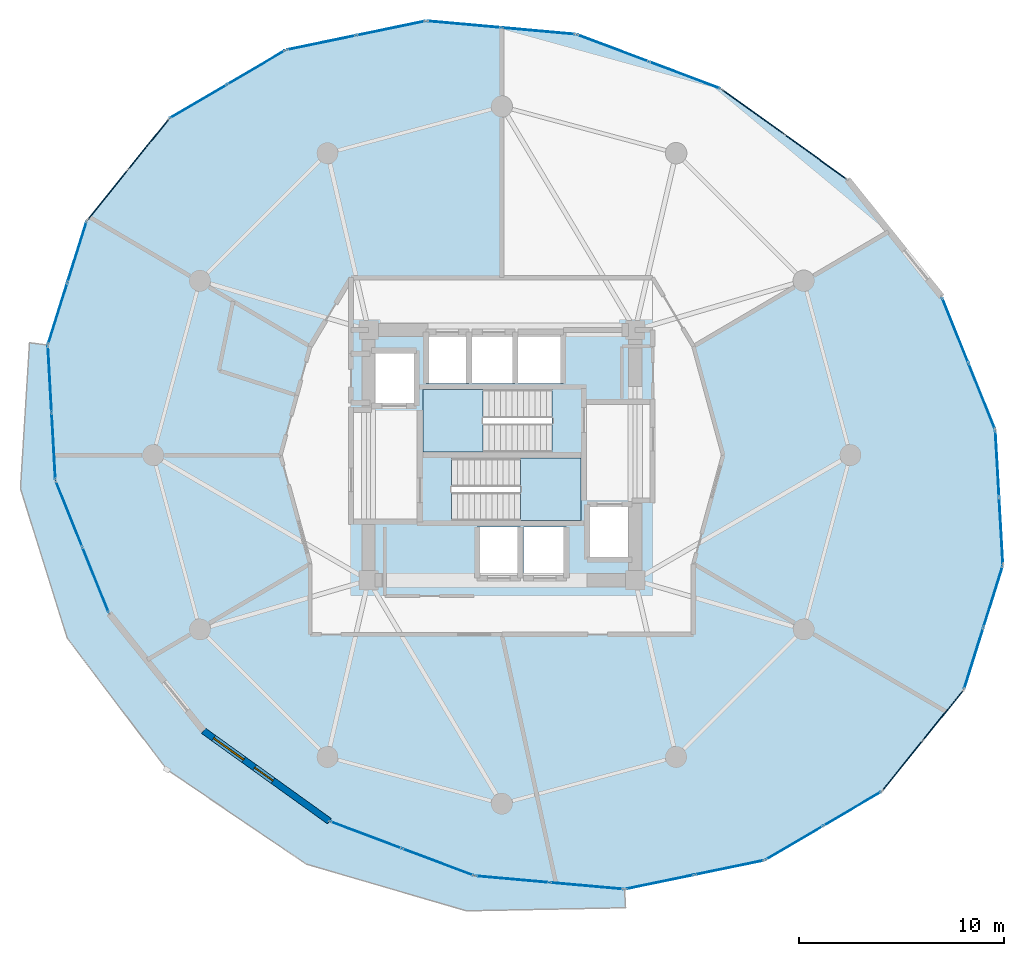
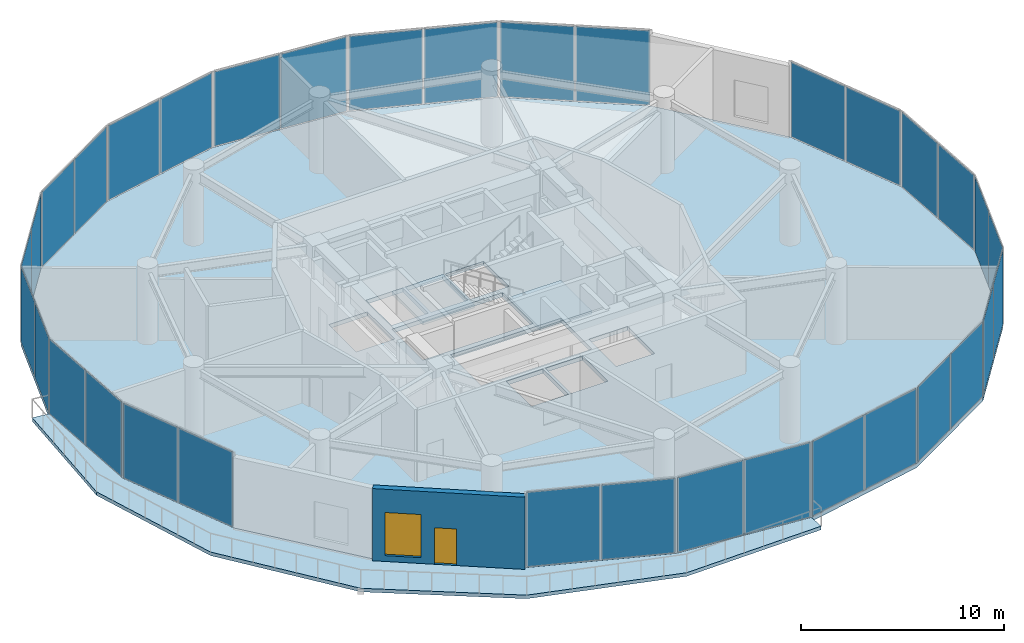
# One storey, part 23 of 28: 34 plates, 4 slabs, 1 door, 1 wall, 1 window, 2 openings, 19 elements without a shape of their own.
"""IFC4 building model written with IfcOpenShell, lengths in metres."""

from ifc_helpers import new_model, si_unit, direction, frame, frame_2d, origin, origin_2d, place, context, subcontext, project, spatial, polyline, rectangle, outline, extrude, source, transform, mapped, material, layer, layer_set, type_object, element, fill, aggregate, save


model = new_model("IFC4")

# Units and contexts
model_context = context("Model", 3, precision=1e-05, world=origin(), true_north=direction((0.0, 1.0)))
body_context = subcontext(model_context, "Body", "Model", "MODEL_VIEW")
ifc_project = project(units=[si_unit("LENGTHUNIT", "METRE"), si_unit("AREAUNIT", "SQUARE_METRE"), si_unit("VOLUMEUNIT", "CUBIC_METRE"), si_unit("PLANEANGLEUNIT", "RADIAN"), si_unit("MASSUNIT", "GRAM", prefix="KILO")], contexts=[model_context])

# Site, building, storey
site_placement = place(None, origin())
site = spatial("IfcSite", under=ifc_project, at=site_placement, CompositionType="ELEMENT")
building_placement = place(site_placement, origin())
building = spatial("IfcBuilding", under=site, at=building_placement, Name="Solvirekh Grand Hotel", CompositionType="ELEMENT")
storey_placement = place(building_placement, frame((0.0, 0.0, 98.0)))
storey = spatial("IfcBuildingStorey", under=building, at=storey_placement, Name="L24", CompositionType="ELEMENT", Elevation=98.0)

# Slab
ifc_material_1 = material(Name="Concrete C50/60", Category="concrete")
ifc_layer_1 = layer(ifc_material_1, 0.215087890625)
ifc_layer_set_1 = layer_set([ifc_layer_1], Name="Concrete C50/60")
slab_type_1 = type_object("IfcSlabType", Name="ExtCrescentBalc_215", PredefinedType="FLOOR", material=ifc_layer_set_1)
slab_1_placement = place(storey_placement, frame((0.0, 0.0, -0.215087890625)))
element("IfcSlab", 1, at=slab_1_placement, inside=storey, type_object=slab_type_1, Name="L24 sweeping crescent balcony slab", PredefinedType="FLOOR", context=body_context, shape_type="SweptSolid", body=[
    extrude(outline(polyline([(-23.030029296875, 5.47607421875), (-23.469970703125, -1.625), (-21.18994140625, -8.924072265625), (-16.330078125, -15.333984375), (-9.52587890625, -19.945068359375), (-1.72509765625, -22.220947265625), (6.033935546875, -22.069091796875), (5.985107421875, -21.169921875), (-1.33203125, -20.51611328125), (-8.406982421875, -17.85302734375), (-14.5458984375, -13.443115234375), (-19.14794921875, -7.717041015625), (-21.763916015625, -1.235107421875), (-22.135986328125, 5.366943359375), (-23.030029296875, 5.47607421875)])), origin(), (0.0, 0.0, 1.0), 0.215087890625),
])

# Stair, slab
ifc_material_2 = material(Name="Concrete C40/50", Category="concrete")
stair_type = type_object("IfcStairType", Name="Stair_Core_1450", PredefinedType="HALF_TURN_STAIR", material=ifc_material_2)
stair_1_placement = place(storey_placement, origin())
stair_1 = element("IfcStair", 2, at=stair_1_placement, inside=storey, type_object=stair_type, Name="L24 Enclosed exit stair ST-1", PredefinedType="HALF_TURN_STAIR")
ifc_layer_2 = layer(ifc_material_2, 0.199951171875)
ifc_layer_set_2 = layer_set([ifc_layer_2], Name="Concrete C40/50")
slab_type_2 = type_object("IfcSlabType", Name="Landing_Stair_200", PredefinedType="LANDING", material=ifc_layer_set_2)
slab_2_placement = place(storey_placement, frame((0.0, 0.0, 2.10009765625)))
slab_2 = element("IfcSlab", 3, at=slab_2_placement, type_object=slab_type_2, Name="ST-1 landing 1", PredefinedType="LANDING", context=body_context, shape_type="SweptSolid", body=[
    extrude(outline(polyline([(0.909912109375, -3.199951171875), (3.85009765625, -3.199951171875), (3.85009765625, -0.14990234375), (0.909912109375, -0.14990234375), (0.909912109375, -3.199951171875)])), origin(), (0.0, 0.0, 1.0), 0.199951171875),
])
aggregate(stair_1, [slab_2])

stair_2_placement = place(storey_placement, origin())
stair_2 = element("IfcStair", 4, at=stair_2_placement, inside=storey, type_object=stair_type, Name="L24 Enclosed exit stair ST-2", PredefinedType="HALF_TURN_STAIR")
slab_3_placement = place(storey_placement, frame((0.0, 0.0, 2.10009765625)))
slab_3 = element("IfcSlab", 5, at=slab_3_placement, type_object=slab_type_2, Name="ST-2 landing 1", PredefinedType="LANDING", context=body_context, shape_type="SweptSolid", body=[
    extrude(outline(polyline([(-0.909912109375, 3.199951171875), (-3.85009765625, 3.199951171875), (-3.85009765625, 0.14990234375), (-0.909912109375, 0.14990234375), (-0.909912109375, 3.199951171875)])), origin(), (0.0, 0.0, 1.0), 0.199951171875),
])
aggregate(stair_2, [slab_3])

# Slab
ifc_layer_3 = layer(ifc_material_1, 0.25)
ifc_layer_set_3 = layer_set([ifc_layer_3], Name="Concrete C50/60")
slab_type_3 = type_object("IfcSlabType", Name="Slab_GuestZ2_250", PredefinedType="FLOOR", material=ifc_layer_set_3)
slab_4_placement = place(storey_placement, frame((0.0, 0.0, -0.25)))
element("IfcSlab", 6, at=slab_4_placement, inside=storey, type_object=slab_type_3, Name="L24 structural floor slab", PredefinedType="FLOOR", context=body_context, shape_type="SweptSolid", body=[
    extrude(outline(polyline([(22.530029296875, -11.444091796875), (24.43603515625, -5.366943359375), (24.06396484375, 1.235107421875), (21.447998046875, 7.717041015625), (16.845947265625, 13.443115234375), (10.70703125, 17.85302734375), (3.632080078125, 20.51611328125), (-3.68505859375, 21.169921875), (-10.529052734375, 19.7529296875), (-16.22998046875, 16.40087890625), (-20.22998046875, 11.444091796875), (-22.135986328125, 5.366943359375), (-21.763916015625, -1.235107421875), (-19.14794921875, -7.717041015625), (-14.5458984375, -13.443115234375), (-8.406982421875, -17.85302734375), (-1.33203125, -20.51611328125), (5.985107421875, -21.169921875), (12.8291015625, -19.7529296875), (18.530029296875, -16.40087890625), (22.530029296875, -11.444091796875)]), holes=[polyline([(-2.444091796875, -0.14990234375), (3.85009765625, -0.14990234375), (3.85009765625, -3.199951171875), (-2.444091796875, -3.199951171875), (-2.444091796875, -0.14990234375)]), polyline([(2.444091796875, 0.14990234375), (-3.85009765625, 0.14990234375), (-3.85009765625, 3.199951171875), (2.444091796875, 3.199951171875), (2.444091796875, 0.14990234375)]), polyline([(-1.199951171875, -3.5), (0.89990234375, -3.5), (0.89990234375, -6.0), (-1.199951171875, -6.0), (-1.199951171875, -3.5)]), polyline([(1.050048828125, -3.5), (3.14990234375, -3.5), (3.14990234375, -6.0), (1.050048828125, -6.0), (1.050048828125, -3.5)]), polyline([(-3.699951171875, 6.0), (-1.60009765625, 6.0), (-1.60009765625, 3.5), (-3.699951171875, 3.5), (-3.699951171875, 6.0)]), polyline([(-1.449951171875, 6.0), (0.64990234375, 6.0), (0.64990234375, 3.5), (-1.449951171875, 3.5), (-1.449951171875, 6.0)]), polyline([(0.800048828125, 6.0), (3.0, 6.0), (3.0, 3.5), (0.800048828125, 3.5), (0.800048828125, 6.0)]), polyline([(-6.35009765625, 5.10009765625), (-4.14990234375, 5.10009765625), (-4.14990234375, 2.39990234375), (-6.35009765625, 2.39990234375), (-6.35009765625, 5.10009765625)]), polyline([(4.14990234375, -2.39990234375), (6.35009765625, -2.39990234375), (6.35009765625, -5.10009765625), (4.14990234375, -5.10009765625), (4.14990234375, -2.39990234375)])]), origin(), (0.0, 0.0, 1.0), 0.25),
])

# Curtain wall, plates
ifc_material_3 = material(Name="Anodized Bronze Aluminium 6063-T6", Category="aluminium")
ifc_layer_4 = layer(ifc_material_3, 0.18994140625)
ifc_layer_set_4 = layer_set([ifc_layer_4], Name="Anodized Bronze Aluminium 6063-T6")
curtain_wall_type = type_object("IfcCurtainWallType", Name="CW_Sys5_SkyLobbyPanoramaCW", PredefinedType="NOTDEFINED", material=ifc_layer_set_4)
curtain_wall_1_placement = place(storey_placement, origin())
curtain_wall_1 = element("IfcCurtainWall", 7, at=curtain_wall_1_placement, inside=storey, type_object=curtain_wall_type, Name="L24 unitised bronze-glass curtain wall CW-L24-C01", PredefinedType="NOTDEFINED")
ifc_material_4 = material(Name="Low-E Tinted Bronze Laminated Glass", Category="aluminium")
ifc_layer_5 = layer(ifc_material_4, 0.0419921875)
ifc_layer_set_5 = layer_set([ifc_layer_5], Name="Low-E Tinted Bronze Laminated Glass")
plate_type = type_object("IfcPlateType", Name="CWPanel_SkyLobby_42", PredefinedType="CURTAIN_PANEL", material=ifc_layer_set_5)
shared_shape_1 = source(origin(), body_context, "Body", "SweptSolid", [
    extrude(rectangle(XDim=3.079345703125, YDim=0.0419921875, at=origin_2d()), origin(), (0.0, 0.0, 1.0), 4.47998046875),
])
plate_1_placement = place(storey_placement, frame((23.01171875, -9.907958984375, 0.06005859375), z_axis=(0.0, 0.0, 1.0), x_axis=(0.299267200193, 0.95416934707, 0.0)))
plate_1 = element("IfcPlate", 8, at=plate_1_placement, type_object=plate_type, Name="U05 panel 1.1", PredefinedType="CURTAIN_PANEL", context=body_context, shape_type="MappedRepresentation", body=[
    mapped(shared_shape_1, transform((0.0, 0.0, 0.0), x_axis=(1.0, 0.0, 0.0), y_axis=(0.0, 1.0, 0.0), z_axis=(0.0, 0.0, 1.0), scale=1.0)),
])
plate_2_placement = place(storey_placement, frame((23.954345703125, -6.90283203125, 0.06005859375), z_axis=(0.0, 0.0, 1.0), x_axis=(0.299267200193, 0.95416934707, 0.0)))
plate_2 = element("IfcPlate", 9, at=plate_2_placement, type_object=plate_type, Name="U05 panel 2.1", PredefinedType="CURTAIN_PANEL", context=body_context, shape_type="MappedRepresentation", body=[
    mapped(shared_shape_1, transform((0.0, 0.0, 0.0), x_axis=(1.0, 0.0, 0.0), y_axis=(0.0, 1.0, 0.0), z_axis=(0.0, 0.0, 1.0), scale=1.0)),
])
aggregate(curtain_wall_1, [plate_1, plate_2])

curtain_wall_2_placement = place(storey_placement, origin())
curtain_wall_2 = element("IfcCurtainWall", 10, at=curtain_wall_2_placement, inside=storey, type_object=curtain_wall_type, Name="L24 unitised bronze-glass curtain wall CW-L24-C11", PredefinedType="NOTDEFINED")
plate_3_placement = place(storey_placement, frame((-20.711669921875, 9.907958984375, 0.06005859375), z_axis=(0.0, 0.0, 1.0), x_axis=(-0.299267200193, -0.95416934707, 0.0)))
plate_3 = element("IfcPlate", 11, at=plate_3_placement, type_object=plate_type, Name="U05 panel 1.1", PredefinedType="CURTAIN_PANEL", context=body_context, shape_type="MappedRepresentation", body=[
    mapped(shared_shape_1, transform((0.0, 0.0, 0.0), x_axis=(1.0, 0.0, 0.0), y_axis=(0.0, 1.0, 0.0), z_axis=(0.0, 0.0, 1.0), scale=1.0)),
])
plate_4_placement = place(storey_placement, frame((-21.654296875, 6.90283203125, 0.06005859375), z_axis=(0.0, 0.0, 1.0), x_axis=(-0.299267200193, -0.95416934707, 0.0)))
plate_4 = element("IfcPlate", 12, at=plate_4_placement, type_object=plate_type, Name="U05 panel 2.1", PredefinedType="CURTAIN_PANEL", context=body_context, shape_type="MappedRepresentation", body=[
    mapped(shared_shape_1, transform((0.0, 0.0, 0.0), x_axis=(1.0, 0.0, 0.0), y_axis=(0.0, 1.0, 0.0), z_axis=(0.0, 0.0, 1.0), scale=1.0)),
])
aggregate(curtain_wall_2, [plate_3, plate_4])

curtain_wall_3_placement = place(storey_placement, origin())
curtain_wall_3 = element("IfcCurtainWall", 13, at=curtain_wall_3_placement, inside=storey, type_object=curtain_wall_type, Name="L24 unitised bronze-glass curtain wall CW-L24-C02", PredefinedType="NOTDEFINED")
shared_shape_2 = source(origin(), body_context, "Body", "SweptSolid", [
    extrude(rectangle(XDim=3.201171875, YDim=0.0419921875, at=origin_2d()), origin(), (0.0, 0.0, 1.0), 4.47998046875),
])
plate_5_placement = place(storey_placement, frame((24.342041015625, -3.698974609375, 0.06005859375), z_axis=(0.0, 0.0, 1.0), x_axis=(-0.056257325751, 0.998416302601, 0.0)))
plate_5 = element("IfcPlate", 14, at=plate_5_placement, type_object=plate_type, Name="U05 panel 1.1", PredefinedType="CURTAIN_PANEL", context=body_context, shape_type="MappedRepresentation", body=[
    mapped(shared_shape_2, transform((0.0, 0.0, 0.0), x_axis=(1.0, 0.0, 0.0), y_axis=(0.0, 1.0, 0.0), z_axis=(0.0, 0.0, 1.0), scale=1.0)),
])
plate_6_placement = place(storey_placement, frame((24.157958984375, -0.432861328125, 0.06005859375), z_axis=(0.0, 0.0, 1.0), x_axis=(-0.056257325751, 0.998416302601, 0.0)))
plate_6 = element("IfcPlate", 15, at=plate_6_placement, type_object=plate_type, Name="U05 panel 2.1", PredefinedType="CURTAIN_PANEL", context=body_context, shape_type="MappedRepresentation", body=[
    mapped(shared_shape_2, transform((0.0, 0.0, 0.0), x_axis=(1.0, 0.0, 0.0), y_axis=(0.0, 1.0, 0.0), z_axis=(0.0, 0.0, 1.0), scale=1.0)),
])
aggregate(curtain_wall_3, [plate_5, plate_6])

curtain_wall_4_placement = place(storey_placement, origin())
curtain_wall_4 = element("IfcCurtainWall", 16, at=curtain_wall_4_placement, inside=storey, type_object=curtain_wall_type, Name="L24 unitised bronze-glass curtain wall CW-L24-C12", PredefinedType="NOTDEFINED")
plate_7_placement = place(storey_placement, frame((-22.0419921875, 3.698974609375, 0.06005859375), z_axis=(0.0, 0.0, 1.0), x_axis=(0.056257325751, -0.998416302601, 0.0)))
plate_7 = element("IfcPlate", 17, at=plate_7_placement, type_object=plate_type, Name="U05 panel 1.1", PredefinedType="CURTAIN_PANEL", context=body_context, shape_type="MappedRepresentation", body=[
    mapped(shared_shape_2, transform((0.0, 0.0, 0.0), x_axis=(1.0, 0.0, 0.0), y_axis=(0.0, 1.0, 0.0), z_axis=(0.0, 0.0, 1.0), scale=1.0)),
])
plate_8_placement = place(storey_placement, frame((-21.85791015625, 0.432861328125, 0.06005859375), z_axis=(0.0, 0.0, 1.0), x_axis=(0.056257325751, -0.998416302601, 0.0)))
plate_8 = element("IfcPlate", 18, at=plate_8_placement, type_object=plate_type, Name="U05 panel 2.1", PredefinedType="CURTAIN_PANEL", context=body_context, shape_type="MappedRepresentation", body=[
    mapped(shared_shape_2, transform((0.0, 0.0, 0.0), x_axis=(1.0, 0.0, 0.0), y_axis=(0.0, 1.0, 0.0), z_axis=(0.0, 0.0, 1.0), scale=1.0)),
])
aggregate(curtain_wall_4, [plate_7, plate_8])

curtain_wall_5_placement = place(storey_placement, origin())
curtain_wall_5 = element("IfcCurtainWall", 19, at=curtain_wall_5_placement, inside=storey, type_object=curtain_wall_type, Name="L24 unitised bronze-glass curtain wall CW-L24-C03", PredefinedType="NOTDEFINED")
shared_shape_3 = source(origin(), body_context, "Body", "SweptSolid", [
    extrude(rectangle(XDim=3.389892578125, YDim=0.0419921875, at=origin_2d()), origin(), (0.0, 0.0, 1.0), 4.47998046875),
])
plate_9_placement = place(storey_placement, frame((23.403564453125, 2.871826171875, 0.06005859375), z_axis=(0.0, 0.0, 1.0), x_axis=(-0.374250152579, 0.927327786327, 0.0)))
plate_9 = element("IfcPlate", 20, at=plate_9_placement, type_object=plate_type, Name="U05 panel 1.1", PredefinedType="CURTAIN_PANEL", context=body_context, shape_type="MappedRepresentation", body=[
    mapped(shared_shape_3, transform((0.0, 0.0, 0.0), x_axis=(1.0, 0.0, 0.0), y_axis=(0.0, 1.0, 0.0), z_axis=(0.0, 0.0, 1.0), scale=1.0)),
])
plate_10_placement = place(storey_placement, frame((22.108642578125, 6.080322265625, 0.06005859375), z_axis=(0.0, 0.0, 1.0), x_axis=(-0.374250152579, 0.927327786327, 0.0)))
plate_10 = element("IfcPlate", 21, at=plate_10_placement, type_object=plate_type, Name="U05 panel 2.1", PredefinedType="CURTAIN_PANEL", context=body_context, shape_type="MappedRepresentation", body=[
    mapped(shared_shape_3, transform((0.0, 0.0, 0.0), x_axis=(1.0, 0.0, 0.0), y_axis=(0.0, 1.0, 0.0), z_axis=(0.0, 0.0, 1.0), scale=1.0)),
])
aggregate(curtain_wall_5, [plate_9, plate_10])

curtain_wall_6_placement = place(storey_placement, origin())
curtain_wall_6 = element("IfcCurtainWall", 22, at=curtain_wall_6_placement, inside=storey, type_object=curtain_wall_type, Name="L24 unitised bronze-glass curtain wall CW-L24-C13", PredefinedType="NOTDEFINED")
plate_11_placement = place(storey_placement, frame((-21.103515625, -2.871826171875, 0.06005859375), z_axis=(0.0, 0.0, 1.0), x_axis=(0.374250152579, -0.927327786327, 0.0)))
plate_11 = element("IfcPlate", 23, at=plate_11_placement, type_object=plate_type, Name="U05 panel 1.1", PredefinedType="CURTAIN_PANEL", context=body_context, shape_type="MappedRepresentation", body=[
    mapped(shared_shape_3, transform((0.0, 0.0, 0.0), x_axis=(1.0, 0.0, 0.0), y_axis=(0.0, 1.0, 0.0), z_axis=(0.0, 0.0, 1.0), scale=1.0)),
])
plate_12_placement = place(storey_placement, frame((-19.80859375, -6.080322265625, 0.06005859375), z_axis=(0.0, 0.0, 1.0), x_axis=(0.374250152579, -0.927327786327, 0.0)))
plate_12 = element("IfcPlate", 24, at=plate_12_placement, type_object=plate_type, Name="U05 panel 2.1", PredefinedType="CURTAIN_PANEL", context=body_context, shape_type="MappedRepresentation", body=[
    mapped(shared_shape_3, transform((0.0, 0.0, 0.0), x_axis=(1.0, 0.0, 0.0), y_axis=(0.0, 1.0, 0.0), z_axis=(0.0, 0.0, 1.0), scale=1.0)),
])
aggregate(curtain_wall_6, [plate_11, plate_12])

curtain_wall_7_placement = place(storey_placement, origin())
curtain_wall_7 = element("IfcCurtainWall", 25, at=curtain_wall_7_placement, inside=storey, type_object=curtain_wall_type, Name="L24 unitised bronze-glass curtain wall CW-L24-C05", PredefinedType="NOTDEFINED")
shared_shape_4 = source(origin(), body_context, "Body", "SweptSolid", [
    extrude(rectangle(XDim=3.67431640625, YDim=0.0419921875, at=origin_2d()), origin(), (0.0, 0.0, 1.0), 4.47998046875),
])
plate_13_placement = place(storey_placement, frame((15.297119140625, 14.5556640625, 0.06005859375), z_axis=(0.0, 0.0, 1.0), x_axis=(-0.812166211264, 0.58342612667, 0.0)))
plate_13 = element("IfcPlate", 26, at=plate_13_placement, type_object=plate_type, Name="U05 panel 1.1", PredefinedType="CURTAIN_PANEL", context=body_context, shape_type="MappedRepresentation", body=[
    mapped(shared_shape_4, transform((0.0, 0.0, 0.0), x_axis=(1.0, 0.0, 0.0), y_axis=(0.0, 1.0, 0.0), z_axis=(0.0, 0.0, 1.0), scale=1.0)),
])
plate_14_placement = place(storey_placement, frame((12.255859375, 16.740234375, 0.06005859375), z_axis=(0.0, 0.0, 1.0), x_axis=(-0.812166211264, 0.58342612667, 0.0)))
plate_14 = element("IfcPlate", 27, at=plate_14_placement, type_object=plate_type, Name="U05 panel 2.1", PredefinedType="CURTAIN_PANEL", context=body_context, shape_type="MappedRepresentation", body=[
    mapped(shared_shape_4, transform((0.0, 0.0, 0.0), x_axis=(1.0, 0.0, 0.0), y_axis=(0.0, 1.0, 0.0), z_axis=(0.0, 0.0, 1.0), scale=1.0)),
])
aggregate(curtain_wall_7, [plate_13, plate_14])

curtain_wall_8_placement = place(storey_placement, origin())
curtain_wall_8 = element("IfcCurtainWall", 28, at=curtain_wall_8_placement, inside=storey, type_object=curtain_wall_type, Name="L24 unitised bronze-glass curtain wall CW-L24-C06", PredefinedType="NOTDEFINED")
shared_shape_5 = source(origin(), body_context, "Body", "SweptSolid", [
    extrude(rectangle(XDim=3.6748046875, YDim=0.0419921875, at=origin_2d()), origin(), (0.0, 0.0, 1.0), 4.47998046875),
])
plate_15_placement = place(storey_placement, frame((8.921875, 18.52490234375, 0.06005859375), z_axis=(0.0, 0.0, 1.0), x_axis=(-0.935899011934, 0.352268419619, 0.0)))
plate_15 = element("IfcPlate", 29, at=plate_15_placement, type_object=plate_type, Name="U05 panel 1.1", PredefinedType="CURTAIN_PANEL", context=body_context, shape_type="MappedRepresentation", body=[
    mapped(shared_shape_5, transform((0.0, 0.0, 0.0), x_axis=(1.0, 0.0, 0.0), y_axis=(0.0, 1.0, 0.0), z_axis=(0.0, 0.0, 1.0), scale=1.0)),
])
plate_16_placement = place(storey_placement, frame((5.417236328125, 19.843994140625, 0.06005859375), z_axis=(0.0, 0.0, 1.0), x_axis=(-0.935899011934, 0.352268419619, 0.0)))
plate_16 = element("IfcPlate", 30, at=plate_16_placement, type_object=plate_type, Name="U05 panel 2.1", PredefinedType="CURTAIN_PANEL", context=body_context, shape_type="MappedRepresentation", body=[
    mapped(shared_shape_5, transform((0.0, 0.0, 0.0), x_axis=(1.0, 0.0, 0.0), y_axis=(0.0, 1.0, 0.0), z_axis=(0.0, 0.0, 1.0), scale=1.0)),
])
aggregate(curtain_wall_8, [plate_15, plate_16])

curtain_wall_9_placement = place(storey_placement, origin())
curtain_wall_9 = element("IfcCurtainWall", 31, at=curtain_wall_9_placement, inside=storey, type_object=curtain_wall_type, Name="L24 unitised bronze-glass curtain wall CW-L24-C16", PredefinedType="NOTDEFINED")
plate_17_placement = place(storey_placement, frame((-6.621826171875, -18.52490234375, 0.06005859375), z_axis=(0.0, 0.0, 1.0), x_axis=(0.935899011934, -0.352268419619, 0.0)))
plate_17 = element("IfcPlate", 32, at=plate_17_placement, type_object=plate_type, Name="U05 panel 1.1", PredefinedType="CURTAIN_PANEL", context=body_context, shape_type="MappedRepresentation", body=[
    mapped(shared_shape_5, transform((0.0, 0.0, 0.0), x_axis=(1.0, 0.0, 0.0), y_axis=(0.0, 1.0, 0.0), z_axis=(0.0, 0.0, 1.0), scale=1.0)),
])
plate_18_placement = place(storey_placement, frame((-3.1171875, -19.843994140625, 0.06005859375), z_axis=(0.0, 0.0, 1.0), x_axis=(0.935899011934, -0.352268419619, 0.0)))
plate_18 = element("IfcPlate", 33, at=plate_18_placement, type_object=plate_type, Name="U05 panel 2.1", PredefinedType="CURTAIN_PANEL", context=body_context, shape_type="MappedRepresentation", body=[
    mapped(shared_shape_5, transform((0.0, 0.0, 0.0), x_axis=(1.0, 0.0, 0.0), y_axis=(0.0, 1.0, 0.0), z_axis=(0.0, 0.0, 1.0), scale=1.0)),
])
aggregate(curtain_wall_9, [plate_17, plate_18])

curtain_wall_10_placement = place(storey_placement, origin())
curtain_wall_10 = element("IfcCurtainWall", 34, at=curtain_wall_10_placement, inside=storey, type_object=curtain_wall_type, Name="L24 unitised bronze-glass curtain wall CW-L24-C07", PredefinedType="NOTDEFINED")
shared_shape_6 = source(origin(), body_context, "Body", "SweptSolid", [
    extrude(rectangle(XDim=3.568115234375, YDim=0.0419921875, at=origin_2d()), origin(), (0.0, 0.0, 1.0), 4.47998046875),
])
plate_19_placement = place(storey_placement, frame((1.785400390625, 20.68115234375, 0.06005859375), z_axis=(0.0, 0.0, 1.0), x_axis=(-0.996029303391, 0.089025989388, 0.0)))
plate_19 = element("IfcPlate", 35, at=plate_19_placement, type_object=plate_type, Name="U05 panel 1.1", PredefinedType="CURTAIN_PANEL", context=body_context, shape_type="MappedRepresentation", body=[
    mapped(shared_shape_6, transform((0.0, 0.0, 0.0), x_axis=(1.0, 0.0, 0.0), y_axis=(0.0, 1.0, 0.0), z_axis=(0.0, 0.0, 1.0), scale=1.0)),
])
plate_20_placement = place(storey_placement, frame((-1.83837890625, 21.0048828125, 0.06005859375), z_axis=(0.0, 0.0, 1.0), x_axis=(-0.996029303391, 0.089025989388, 0.0)))
plate_20 = element("IfcPlate", 36, at=plate_20_placement, type_object=plate_type, Name="U05 panel 2.1", PredefinedType="CURTAIN_PANEL", context=body_context, shape_type="MappedRepresentation", body=[
    mapped(shared_shape_6, transform((0.0, 0.0, 0.0), x_axis=(1.0, 0.0, 0.0), y_axis=(0.0, 1.0, 0.0), z_axis=(0.0, 0.0, 1.0), scale=1.0)),
])
aggregate(curtain_wall_10, [plate_19, plate_20])

curtain_wall_11_placement = place(storey_placement, origin())
curtain_wall_11 = element("IfcCurtainWall", 37, at=curtain_wall_11_placement, inside=storey, type_object=curtain_wall_type, Name="L24 unitised bronze-glass curtain wall CW-L24-C17", PredefinedType="NOTDEFINED")
plate_21_placement = place(storey_placement, frame((0.5146484375, -20.68115234375, 0.06005859375), z_axis=(0.0, 0.0, 1.0), x_axis=(0.996029303391, -0.089025989388, 0.0)))
plate_21 = element("IfcPlate", 38, at=plate_21_placement, type_object=plate_type, Name="U05 panel 1.1", PredefinedType="CURTAIN_PANEL", context=body_context, shape_type="MappedRepresentation", body=[
    mapped(shared_shape_6, transform((0.0, 0.0, 0.0), x_axis=(1.0, 0.0, 0.0), y_axis=(0.0, 1.0, 0.0), z_axis=(0.0, 0.0, 1.0), scale=1.0)),
])
plate_22_placement = place(storey_placement, frame((4.138427734375, -21.0048828125, 0.06005859375), z_axis=(0.0, 0.0, 1.0), x_axis=(0.996029303391, -0.089025989388, 0.0)))
plate_22 = element("IfcPlate", 39, at=plate_22_placement, type_object=plate_type, Name="U05 panel 2.1", PredefinedType="CURTAIN_PANEL", context=body_context, shape_type="MappedRepresentation", body=[
    mapped(shared_shape_6, transform((0.0, 0.0, 0.0), x_axis=(1.0, 0.0, 0.0), y_axis=(0.0, 1.0, 0.0), z_axis=(0.0, 0.0, 1.0), scale=1.0)),
])
aggregate(curtain_wall_11, [plate_21, plate_22])

curtain_wall_12_placement = place(storey_placement, origin())
curtain_wall_12 = element("IfcCurtainWall", 40, at=curtain_wall_12_placement, inside=storey, type_object=curtain_wall_type, Name="L24 unitised bronze-glass curtain wall CW-L24-C08", PredefinedType="NOTDEFINED")
shared_shape_7 = source(origin(), body_context, "Body", "SweptSolid", [
    extrude(rectangle(XDim=3.3896484375, YDim=0.0419921875, at=origin_2d()), origin(), (0.0, 0.0, 1.0), 4.47998046875),
])
plate_23_placement = place(storey_placement, frame((-5.4130859375, 20.812255859375, 0.06005859375), z_axis=(0.0, 0.0, 1.0), x_axis=(-0.979232022517, -0.202742807709, 0.0)))
plate_23 = element("IfcPlate", 41, at=plate_23_placement, type_object=plate_type, Name="U05 panel 1.1", PredefinedType="CURTAIN_PANEL", context=body_context, shape_type="MappedRepresentation", body=[
    mapped(shared_shape_7, transform((0.0, 0.0, 0.0), x_axis=(1.0, 0.0, 0.0), y_axis=(0.0, 1.0, 0.0), z_axis=(0.0, 0.0, 1.0), scale=1.0)),
])
plate_24_placement = place(storey_placement, frame((-8.80078125, 20.11083984375, 0.06005859375), z_axis=(0.0, 0.0, 1.0), x_axis=(-0.979232022517, -0.202742807709, 0.0)))
plate_24 = element("IfcPlate", 42, at=plate_24_placement, type_object=plate_type, Name="U05 panel 2.1", PredefinedType="CURTAIN_PANEL", context=body_context, shape_type="MappedRepresentation", body=[
    mapped(shared_shape_7, transform((0.0, 0.0, 0.0), x_axis=(1.0, 0.0, 0.0), y_axis=(0.0, 1.0, 0.0), z_axis=(0.0, 0.0, 1.0), scale=1.0)),
])
aggregate(curtain_wall_12, [plate_23, plate_24])

curtain_wall_13_placement = place(storey_placement, origin())
curtain_wall_13 = element("IfcCurtainWall", 43, at=curtain_wall_13_placement, inside=storey, type_object=curtain_wall_type, Name="L24 unitised bronze-glass curtain wall CW-L24-C18", PredefinedType="NOTDEFINED")
plate_25_placement = place(storey_placement, frame((7.713134765625, -20.812255859375, 0.06005859375), z_axis=(0.0, 0.0, 1.0), x_axis=(0.979232022517, 0.202742807709, 0.0)))
plate_25 = element("IfcPlate", 44, at=plate_25_placement, type_object=plate_type, Name="U05 panel 1.1", PredefinedType="CURTAIN_PANEL", context=body_context, shape_type="MappedRepresentation", body=[
    mapped(shared_shape_7, transform((0.0, 0.0, 0.0), x_axis=(1.0, 0.0, 0.0), y_axis=(0.0, 1.0, 0.0), z_axis=(0.0, 0.0, 1.0), scale=1.0)),
])
plate_26_placement = place(storey_placement, frame((11.100830078125, -20.11083984375, 0.06005859375), z_axis=(0.0, 0.0, 1.0), x_axis=(0.979232022517, 0.202742807709, 0.0)))
plate_26 = element("IfcPlate", 45, at=plate_26_placement, type_object=plate_type, Name="U05 panel 2.1", PredefinedType="CURTAIN_PANEL", context=body_context, shape_type="MappedRepresentation", body=[
    mapped(shared_shape_7, transform((0.0, 0.0, 0.0), x_axis=(1.0, 0.0, 0.0), y_axis=(0.0, 1.0, 0.0), z_axis=(0.0, 0.0, 1.0), scale=1.0)),
])
aggregate(curtain_wall_13, [plate_25, plate_26])

curtain_wall_14_placement = place(storey_placement, origin())
curtain_wall_14 = element("IfcCurtainWall", 46, at=curtain_wall_14_placement, inside=storey, type_object=curtain_wall_type, Name="L24 unitised bronze-glass curtain wall CW-L24-C09", PredefinedType="NOTDEFINED")
shared_shape_8 = source(origin(), body_context, "Body", "SweptSolid", [
    extrude(rectangle(XDim=3.20166015625, YDim=0.0419921875, at=origin_2d()), origin(), (0.0, 0.0, 1.0), 4.47998046875),
])
plate_27_placement = place(storey_placement, frame((-11.96923828125, 18.90625, 0.06005859375), z_axis=(0.0, 0.0, 1.0), x_axis=(-0.862035262327, -0.506848307194, 0.0)))
plate_27 = element("IfcPlate", 47, at=plate_27_placement, type_object=plate_type, Name="U05 panel 1.1", PredefinedType="CURTAIN_PANEL", context=body_context, shape_type="MappedRepresentation", body=[
    mapped(shared_shape_8, transform((0.0, 0.0, 0.0), x_axis=(1.0, 0.0, 0.0), y_axis=(0.0, 1.0, 0.0), z_axis=(0.0, 0.0, 1.0), scale=1.0)),
])
plate_28_placement = place(storey_placement, frame((-14.78955078125, 17.247802734375, 0.06005859375), z_axis=(0.0, 0.0, 1.0), x_axis=(-0.862035262327, -0.506848307194, 0.0)))
plate_28 = element("IfcPlate", 48, at=plate_28_placement, type_object=plate_type, Name="U05 panel 2.1", PredefinedType="CURTAIN_PANEL", context=body_context, shape_type="MappedRepresentation", body=[
    mapped(shared_shape_8, transform((0.0, 0.0, 0.0), x_axis=(1.0, 0.0, 0.0), y_axis=(0.0, 1.0, 0.0), z_axis=(0.0, 0.0, 1.0), scale=1.0)),
])
aggregate(curtain_wall_14, [plate_27, plate_28])

curtain_wall_15_placement = place(storey_placement, origin())
curtain_wall_15 = element("IfcCurtainWall", 49, at=curtain_wall_15_placement, inside=storey, type_object=curtain_wall_type, Name="L24 unitised bronze-glass curtain wall CW-L24-C19", PredefinedType="NOTDEFINED")
plate_29_placement = place(storey_placement, frame((14.269287109375, -18.90625, 0.06005859375), z_axis=(0.0, 0.0, 1.0), x_axis=(0.862035262327, 0.506848307194, 0.0)))
plate_29 = element("IfcPlate", 50, at=plate_29_placement, type_object=plate_type, Name="U05 panel 1.1", PredefinedType="CURTAIN_PANEL", context=body_context, shape_type="MappedRepresentation", body=[
    mapped(shared_shape_8, transform((0.0, 0.0, 0.0), x_axis=(1.0, 0.0, 0.0), y_axis=(0.0, 1.0, 0.0), z_axis=(0.0, 0.0, 1.0), scale=1.0)),
])
plate_30_placement = place(storey_placement, frame((17.089599609375, -17.247802734375, 0.06005859375), z_axis=(0.0, 0.0, 1.0), x_axis=(0.862035262327, 0.506848307194, 0.0)))
plate_30 = element("IfcPlate", 51, at=plate_30_placement, type_object=plate_type, Name="U05 panel 2.1", PredefinedType="CURTAIN_PANEL", context=body_context, shape_type="MappedRepresentation", body=[
    mapped(shared_shape_8, transform((0.0, 0.0, 0.0), x_axis=(1.0, 0.0, 0.0), y_axis=(0.0, 1.0, 0.0), z_axis=(0.0, 0.0, 1.0), scale=1.0)),
])
aggregate(curtain_wall_15, [plate_29, plate_30])

curtain_wall_16_placement = place(storey_placement, origin())
curtain_wall_16 = element("IfcCurtainWall", 52, at=curtain_wall_16_placement, inside=storey, type_object=curtain_wall_type, Name="L24 unitised bronze-glass curtain wall CW-L24-C10", PredefinedType="NOTDEFINED")
shared_shape_9 = source(origin(), body_context, "Body", "SweptSolid", [
    extrude(rectangle(XDim=3.079833984375, YDim=0.0419921875, at=origin_2d()), origin(), (0.0, 0.0, 1.0), 4.47998046875),
])
plate_31_placement = place(storey_placement, frame((-17.240966796875, 15.148193359375, 0.06005859375), z_axis=(0.0, 0.0, 1.0), x_axis=(-0.627982571835, -0.778227402159, 0.0)))
plate_31 = element("IfcPlate", 53, at=plate_31_placement, type_object=plate_type, Name="U05 panel 1.1", PredefinedType="CURTAIN_PANEL", context=body_context, shape_type="MappedRepresentation", body=[
    mapped(shared_shape_9, transform((0.0, 0.0, 0.0), x_axis=(1.0, 0.0, 0.0), y_axis=(0.0, 1.0, 0.0), z_axis=(0.0, 0.0, 1.0), scale=1.0)),
])
plate_32_placement = place(storey_placement, frame((-19.218994140625, 12.69677734375, 0.06005859375), z_axis=(0.0, 0.0, 1.0), x_axis=(-0.627982571835, -0.778227402159, 0.0)))
plate_32 = element("IfcPlate", 54, at=plate_32_placement, type_object=plate_type, Name="U05 panel 2.1", PredefinedType="CURTAIN_PANEL", context=body_context, shape_type="MappedRepresentation", body=[
    mapped(shared_shape_9, transform((0.0, 0.0, 0.0), x_axis=(1.0, 0.0, 0.0), y_axis=(0.0, 1.0, 0.0), z_axis=(0.0, 0.0, 1.0), scale=1.0)),
])
aggregate(curtain_wall_16, [plate_31, plate_32])

curtain_wall_17_placement = place(storey_placement, origin())
curtain_wall_17 = element("IfcCurtainWall", 55, at=curtain_wall_17_placement, inside=storey, type_object=curtain_wall_type, Name="L24 unitised bronze-glass curtain wall CW-L24-C20", PredefinedType="NOTDEFINED")
plate_33_placement = place(storey_placement, frame((19.541015625, -15.148193359375, 0.06005859375), z_axis=(0.0, 0.0, 1.0), x_axis=(0.627982571835, 0.778227402159, 0.0)))
plate_33 = element("IfcPlate", 56, at=plate_33_placement, type_object=plate_type, Name="U05 panel 1.1", PredefinedType="CURTAIN_PANEL", context=body_context, shape_type="MappedRepresentation", body=[
    mapped(shared_shape_9, transform((0.0, 0.0, 0.0), x_axis=(1.0, 0.0, 0.0), y_axis=(0.0, 1.0, 0.0), z_axis=(0.0, 0.0, 1.0), scale=1.0)),
])
plate_34_placement = place(storey_placement, frame((21.51904296875, -12.69677734375, 0.06005859375), z_axis=(0.0, 0.0, 1.0), x_axis=(0.627982571835, 0.778227402159, 0.0)))
plate_34 = element("IfcPlate", 57, at=plate_34_placement, type_object=plate_type, Name="U05 panel 2.1", PredefinedType="CURTAIN_PANEL", context=body_context, shape_type="MappedRepresentation", body=[
    mapped(shared_shape_9, transform((0.0, 0.0, 0.0), x_axis=(1.0, 0.0, 0.0), y_axis=(0.0, 1.0, 0.0), z_axis=(0.0, 0.0, 1.0), scale=1.0)),
])
aggregate(curtain_wall_17, [plate_33, plate_34])

# Wall, openings, door, window
ifc_material_5 = material(Name="Precast concrete C45/55", Category="concrete")
ifc_layer_6 = layer(ifc_material_5, 0.320068359375)
ifc_layer_set_6 = layer_set([ifc_layer_6], Name="Precast concrete C45/55")
wall_type = type_object("IfcWallType", Name="ExtLobbyWall_RC320", PredefinedType="SOLIDWALL", material=ifc_layer_set_6)
wall_placement = place(storey_placement, frame((-8.406982421875, -17.85302734375, 0.0), z_axis=(0.0, 0.0, 1.0), x_axis=(-0.812167938926, 0.583423721647, 0.0)))
wall = element("IfcWall", 58, at=wall_placement, inside=storey, type_object=wall_type, Name="L24 exterior structural wall chord 15", PredefinedType="SOLIDWALL", context=body_context, shape_type="SweptSolid", body=[
    extrude(rectangle(XDim=7.55859375, YDim=0.320068359375, at=frame_2d((3.779296875, 0.0))), origin(), (0.0, 0.0, 1.0), 4.35009765625),
])
opening_1_placement = place(wall_placement, frame((5.14892578125, 0.0, 0.35009765625)))
opening_1 = element("IfcOpeningElement", 59, at=opening_1_placement, cuts=wall, Name="Opening W02", PredefinedType="OPENING", context=body_context, shape_type="SweptSolid", body=[
    extrude(rectangle(XDim=1.800048828125, YDim=2.60009765625, at=frame_2d((0.89990234375, 1.300048828125))), frame((0.0, 0.169921875, 0.0), z_axis=(0.0, -1.0, 0.0), x_axis=(1.0, 0.0, 0.0)), (0.0, 0.0, 1.0), 0.340087890625),
])
opening_2_placement = place(wall_placement, frame((3.388916015625, 0.0, 0.0)))
opening_2 = element("IfcOpeningElement", 60, at=opening_2_placement, cuts=wall, Name="Opening D03", PredefinedType="OPENING", context=body_context, shape_type="SweptSolid", body=[
    extrude(rectangle(XDim=1.10009765625, YDim=2.199951171875, at=frame_2d((0.550048828125, 1.10009765625))), frame((0.0, 0.169921875, 0.0), z_axis=(0.0, -1.0, 0.0), x_axis=(1.0, 0.0, 0.0)), (0.0, 0.0, 1.0), 0.340087890625),
])
door_type = type_object("IfcDoorType", Name="Door_ExtBalcony_1100X2200", OperationType="NOTDEFINED", PredefinedType="DOOR", material=ifc_material_3)
door_placement = place(opening_2_placement, origin())
door = element("IfcDoor", 61, at=door_placement, inside=storey, type_object=door_type, Name="L24 Crescent balcony glazed door (15)", OperationType="SINGLE_SWING_LEFT", OverallHeight=2.199951171875, OverallWidth=1.10009765625, PredefinedType="DOOR", context=body_context, shape_type="SweptSolid", body=[
    extrude(rectangle(XDim=1.10009765625, YDim=2.199951171875, at=frame_2d((0.550048828125, 1.10009765625))), frame((0.0, 0.02490234375, 0.0), z_axis=(0.0, -1.0, 0.0), x_axis=(1.0, 0.0, 0.0)), (0.0, 0.0, 1.0), 0.050048828125),
])
fill(opening_2, door)
window_type = type_object("IfcWindowType", Name="Win_LobbyExt_1800X2600", PartitioningType="SINGLE_PANEL", PredefinedType="WINDOW", material=ifc_material_4)
window_placement = place(opening_1_placement, origin())
window = element("IfcWindow", 62, at=window_placement, inside=storey, type_object=window_type, Name="L24 exterior side window 15", OverallHeight=2.60009765625, OverallWidth=1.800048828125, PartitioningType="SINGLE_PANEL", PredefinedType="WINDOW", context=body_context, shape_type="SweptSolid", body=[
    extrude(rectangle(XDim=1.800048828125, YDim=2.60009765625, at=frame_2d((0.89990234375, 1.300048828125))), frame((0.0, 0.030029296875, 0.0), z_axis=(0.0, -1.0, 0.0), x_axis=(1.0, 0.0, 0.0)), (0.0, 0.0, 1.0), 0.06005859375),
])
fill(opening_1, window)

save(model, "model.ifc")
